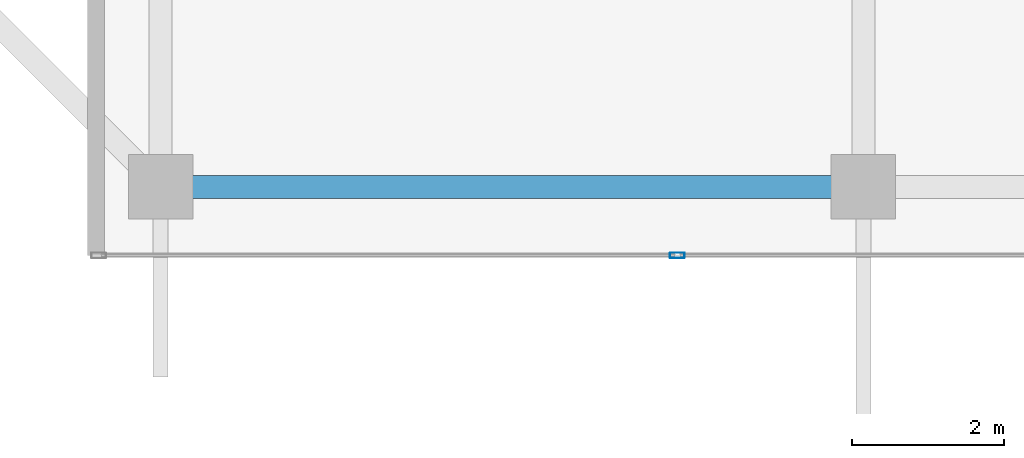
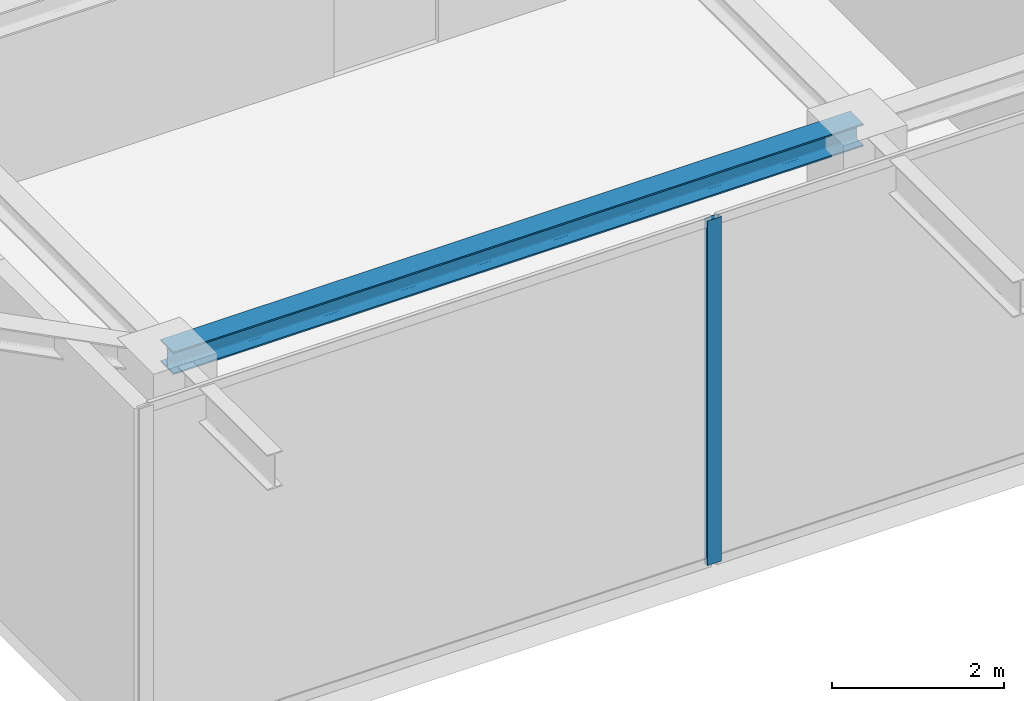
# One storey, part 3 of 27: 1 beam, 1 member, 1 element without a shape of its own.
"""IFC4 building model written with IfcOpenShell, lengths in metres."""

from ifc_helpers import new_model, si_unit, direction, frame, origin, origin_2d, place, context, subcontext, project, spatial, hollow_rectangle, i_section, extrude, source, transform, mapped, material, layer, layer_set, material_profile, profile_set, type_object, element, aggregate, save


model = new_model("IFC4")

# Units and contexts
model_context = context("Model", 3, precision=1e-05, world=origin(), true_north=direction((0.0, 1.0)))
body_context = subcontext(model_context, "Body", "Model", "MODEL_VIEW")
ifc_project = project(units=[si_unit("LENGTHUNIT", "METRE"), si_unit("AREAUNIT", "SQUARE_METRE"), si_unit("VOLUMEUNIT", "CUBIC_METRE"), si_unit("PLANEANGLEUNIT", "RADIAN"), si_unit("MASSUNIT", "GRAM", prefix="KILO")], contexts=[model_context])

# Site, building, storey
site_placement = place(None, origin())
site = spatial("IfcSite", under=ifc_project, at=site_placement, CompositionType="ELEMENT")
building_placement = place(site_placement, origin())
building = spatial("IfcBuilding", under=site, at=building_placement, Name="Serunith Strait Residences", CompositionType="ELEMENT")
storey_placement = place(building_placement, frame((0.0, 0.0, 365.75)))
storey = spatial("IfcBuildingStorey", under=building, at=storey_placement, Name="L89", CompositionType="ELEMENT", Elevation=365.75)

# Beam
ifc_material_1 = material(Name="Steel S355J2", Category="steel")
ifc_material_profile_1 = material_profile(ifc_material_1, i_section(OverallWidth=0.300048828125, OverallDepth=0.320068359375, WebThickness=0.011474609375, FlangeThickness=0.0205078125, FilletRadius=0.027099609375, at=origin_2d()), Name="HEB 320")
ifc_profile_set_1 = profile_set([ifc_material_profile_1], Name="Steel S355J2")
beam_type = type_object("IfcBeamType", Name="BM-HEB320", PredefinedType="BEAM", material=ifc_profile_set_1)
shared_shape_1 = source(origin(), body_context, "Body", "SweptSolid", [
    extrude(i_section(OverallWidth=0.300048828125, OverallDepth=0.320068359375, WebThickness=0.011474609375, FlangeThickness=0.0205078125, FilletRadius=0.027099609375, at=origin_2d()), origin(), (0.0, 0.0, 1.0), 9.25),
])
beam_placement = place(storey_placement, frame((18.64990234375, 4.89990234375, 4.737060546875), z_axis=(1.0, 0.0, 0.0), x_axis=(0.0, 1.0, 0.0)))
element("IfcBeam", 1, at=beam_placement, inside=storey, type_object=beam_type, Name="L89 Perimeter Ring Beam 01", PredefinedType="BEAM", context=body_context, shape_type="MappedRepresentation", body=[
    mapped(shared_shape_1, transform((0.0, 0.0, 0.0), scale=1.0)),
])

# Curtain wall, member
ifc_material_2 = material(Name="Pale-Silver Anodised Aluminium", Category="aluminium")
ifc_layer = layer(ifc_material_2, 0.199951171875, Name="Pale-Silver Anodised Aluminium")
ifc_layer_set = layer_set([ifc_layer], Name="Pale-Silver Anodised Aluminium")
curtain_wall_type = type_object("IfcCurtainWallType", Name="CW-SYS7", PredefinedType="NOTDEFINED", material=ifc_layer_set)
curtain_wall_placement = place(storey_placement, origin())
curtain_wall = element("IfcCurtainWall", 2, at=curtain_wall_placement, inside=storey, type_object=curtain_wall_type, Name="L89 S Unitised Fritted Curtain Wall", PredefinedType="NOTDEFINED")
ifc_material_profile_2 = material_profile(ifc_material_2, hollow_rectangle(XDim=0.072021484375, YDim=0.195068359375, WallThickness=0.00390625, InnerFilletRadius=0.006103515625, OuterFilletRadius=0.010009765625, at=origin_2d()), Name="ALU 195x72x4")
ifc_profile_set_2 = profile_set([ifc_material_profile_2], Name="Pale-Silver Anodised Aluminium")
member_type = type_object("IfcMemberType", Name="CW-SYS7-MULL", PredefinedType="MULLION", material=ifc_profile_set_2)
shared_shape_2 = source(origin(), body_context, "Body", "SweptSolid", [
    extrude(hollow_rectangle(XDim=0.072021484375, YDim=0.195068359375, WallThickness=0.00390625, InnerFilletRadius=0.006103515625, OuterFilletRadius=0.010009765625, at=origin_2d()), origin(), (0.0, 0.0, 1.0), 4.885009765625),
])
member_placement = place(storey_placement, frame((25.449951171875, 4.0, 0.0), z_axis=(0.0, 0.0, 1.0), x_axis=(0.0, 1.0, 0.0)))
member = element("IfcMember", 3, at=member_placement, type_object=member_type, Name="CW-7 mullion 2", PredefinedType="MULLION", context=body_context, shape_type="MappedRepresentation", body=[
    mapped(shared_shape_2, transform((0.0, 0.0, 0.0), scale=1.0)),
])
aggregate(curtain_wall, [member])

save(model, "model.ifc")
